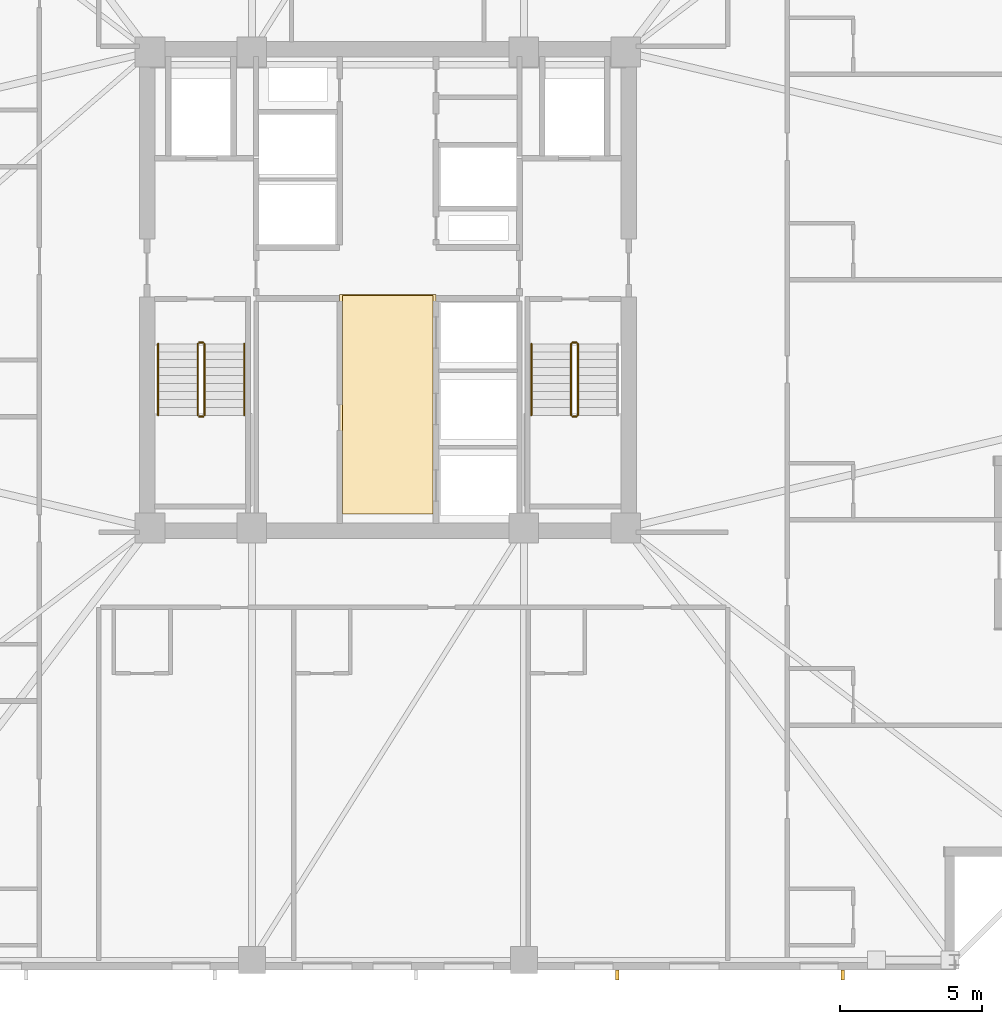
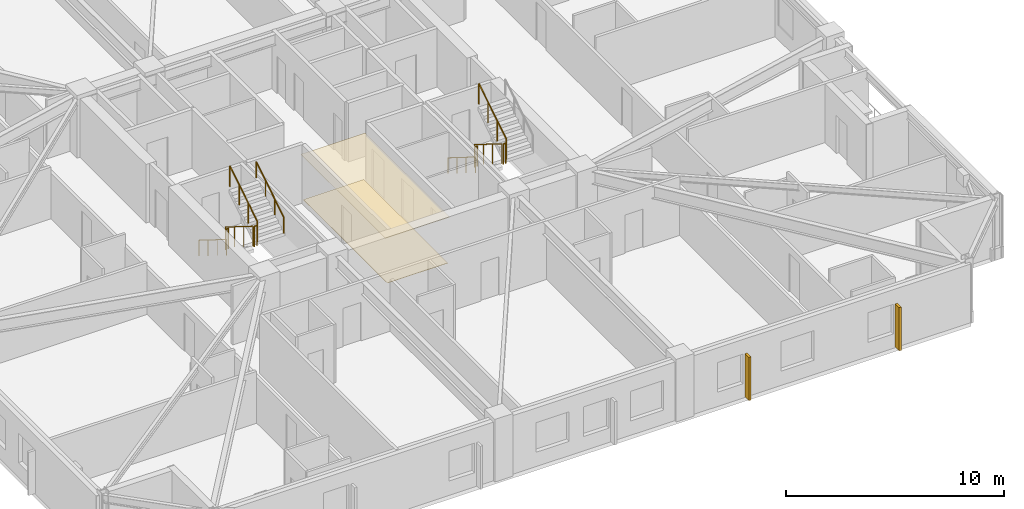
# One storey, part 8 of 11: 11 railings, 2 coverings, 2 shading devices.
"""IFC4 building model written with IfcOpenShell, lengths in metres."""

from ifc_helpers import new_model, si_unit, direction, frame, origin, origin_2d, place, context, subcontext, project, spatial, polyline, rectangle, circle, outline, extrude, material, layer, layer_set, type_object, element, save


model = new_model("IFC4")

# Units and contexts
model_context = context("Model", 3, precision=1e-05, world=origin(), true_north=direction((0.0, 1.0)))
body_context = subcontext(model_context, "Body", "Model", "MODEL_VIEW")
ifc_project = project(units=[si_unit("LENGTHUNIT", "METRE"), si_unit("AREAUNIT", "SQUARE_METRE"), si_unit("VOLUMEUNIT", "CUBIC_METRE"), si_unit("PLANEANGLEUNIT", "RADIAN"), si_unit("MASSUNIT", "GRAM", prefix="KILO")], contexts=[model_context])

# Site, building, storey
site_placement = place(None, origin())
site = spatial("IfcSite", under=ifc_project, at=site_placement, CompositionType="ELEMENT")
building_placement = place(site_placement, origin())
building = spatial("IfcBuilding", under=site, at=building_placement, Name="Cairnveth Concourse Tower", CompositionType="ELEMENT")
storey_placement = place(building_placement, frame((0.0, 0.0, 176.0)))
storey = spatial("IfcBuildingStorey", under=building, at=storey_placement, Name="L48", CompositionType="ELEMENT", Elevation=176.0)

# Covering
ifc_material_1 = material(Name="Acoustic Mineral Fibre Ceiling", Category="gypsum")
ifc_layer_1 = layer(ifc_material_1, 0.02490234375)
ifc_layer_set_1 = layer_set([ifc_layer_1], Name="Acoustic Mineral Fibre Ceiling")
covering_type_1 = type_object("IfcCoveringType", Name="ACOUSTIC MINERAL FIBRE CEILING 25", PredefinedType="CEILING", material=ifc_layer_set_1)
covering_1_placement = place(storey_placement, frame((0.0, 0.0, 2.5400390625)))
element("IfcCovering", 1, at=covering_1_placement, inside=storey, type_object=covering_type_1, Name="Lift Lobby Acoustic Ceiling L48", PredefinedType="CEILING", context=body_context, shape_type="SweptSolid", body=[
    extrude(outline(polyline([(50.300048828125, 31.10009765625), (53.699951171875, 31.10009765625), (53.699951171875, 38.85009765625), (50.300048828125, 38.85009765625), (50.300048828125, 31.10009765625)])), origin(), (0.0, 0.0, 1.0), 0.02490234375),
])

# Shading devices
ifc_material_2 = material(Name="Architectural Bronze Anodised Aluminium 6063-T6", Category="aluminium")
shading_device_type = type_object("IfcShadingDeviceType", Name="GOTHIC BRONZE VERTICAL LANCET FIN", PredefinedType="USERDEFINED", material=ifc_material_2)
for number, where, z_axis, x_axis, name in (
    (2, (68.05810546875, 14.824951171875, 0.030029296875), (0.0, 0.0, 1.0), (1.0, 0.0, 0.0), "Gothic Bronze Vertical Fin L48-3-1"),
    (3, (60.10107421875, 14.824951171875, 0.030029296875), (0.0, 0.0, 1.0), (1.0, 0.0, 0.0), "Gothic Bronze Vertical Fin L48-3-3"),
):
    element("IfcShadingDevice", number, at=place(storey_placement, frame(where, z_axis=z_axis, x_axis=x_axis)), inside=storey, type_object=shading_device_type, Name=name, ObjectType="VERTICAL FIN", PredefinedType="USERDEFINED", context=body_context, shape_type="SweptSolid", body=[
        extrude(rectangle(XDim=0.1201171875, YDim=0.360107421875, at=origin_2d()), origin(), (0.0, 0.0, 1.0), 2.419921875),
    ])

# Railings
ifc_material_3 = material(Name="Steel Grade 350", Category="steel")
railing_type_1 = type_object("IfcRailingType", Name="STAIR GUARDRAIL 1150", PredefinedType="GUARDRAIL", material=ifc_material_3)
railing_1_placement = place(storey_placement, frame((45.2900390625, 37.10009765625, 0.175048828125)))
element("IfcRailing", 4, at=railing_1_placement, inside=storey, type_object=railing_type_1, Name="L48 ST-1 stair guard 1", PredefinedType="GUARDRAIL", context=body_context, shape_type="SweptSolid", body=[
    extrude(circle(Radius=0.02392578125, at=origin_2d()), frame((0.0, 0.0, 1.1259765625), z_axis=(0.0, -0.848007534815, 0.529984170421), x_axis=(1.0, 0.0, 0.0)), (0.0, 0.0, 1.0), 2.9716796875),
    extrude(circle(Radius=0.02099609375, at=origin_2d()), origin(), (0.0, 0.0, 1.0), 1.101806640625),
    extrude(circle(Radius=0.02099609375, at=origin_2d()), frame((0.0, -0.840087890625, 0.52490234375)), (0.0, 0.0, 1.0), 1.101806640625),
    extrude(circle(Radius=0.02099609375, at=origin_2d()), frame((0.0, -1.679931640625, 1.050048828125)), (0.0, 0.0, 1.0), 1.101806640625),
    extrude(circle(Radius=0.02099609375, at=origin_2d()), frame((0.0, -2.52001953125, 1.574951171875)), (0.0, 0.0, 1.0), 1.101806640625),
])
railing_2_placement = place(storey_placement, frame((45.340087890625, 34.530029296875, 1.75)))
element("IfcRailing", 5, at=railing_2_placement, inside=storey, type_object=railing_type_1, Name="L48 ST-1 stair guard 2", PredefinedType="GUARDRAIL", context=body_context, shape_type="SweptSolid", body=[
    extrude(circle(Radius=0.02392578125, at=origin_2d()), frame((0.0, 0.0, 1.1259765625), z_axis=(1.0, 0.0, 0.0), x_axis=(0.0, 1.0, 0.0)), (0.0, 0.0, 1.0), 0.139892578125),
    extrude(circle(Radius=0.02099609375, at=origin_2d()), origin(), (0.0, 0.0, 1.0), 1.101806640625),
    extrude(circle(Radius=0.02099609375, at=origin_2d()), frame((0.139892578125, 0.0, 0.0)), (0.0, 0.0, 1.0), 1.101806640625),
])
railing_3_placement = place(storey_placement, frame((45.530029296875, 34.580078125, 1.925048828125)))
element("IfcRailing", 6, at=railing_3_placement, inside=storey, type_object=railing_type_1, Name="L48 ST-1 stair guard 3", PredefinedType="GUARDRAIL", context=body_context, shape_type="SweptSolid", body=[
    extrude(circle(Radius=0.02392578125, at=origin_2d()), frame((0.0, 0.0, 1.1259765625), z_axis=(0.0, 0.848007534815, 0.529984170421), x_axis=(-1.0, 0.0, 0.0)), (0.0, 0.0, 1.0), 2.9716796875),
    extrude(circle(Radius=0.02099609375, at=origin_2d()), origin(), (0.0, 0.0, 1.0), 1.101806640625),
    extrude(circle(Radius=0.02099609375, at=origin_2d()), frame((0.0, 0.840087890625, 0.52490234375)), (0.0, 0.0, 1.0), 1.101806640625),
    extrude(circle(Radius=0.02099609375, at=origin_2d()), frame((0.0, 1.679931640625, 1.050048828125)), (0.0, 0.0, 1.0), 1.101806640625),
    extrude(circle(Radius=0.02099609375, at=origin_2d()), frame((0.0, 2.52001953125, 1.574951171875)), (0.0, 0.0, 1.0), 1.101806640625),
])
railing_4_placement = place(storey_placement, frame((45.340087890625, 37.14990234375, 0.0)))
element("IfcRailing", 7, at=railing_4_placement, inside=storey, type_object=railing_type_1, Name="L48 ST-1 stair guard 4", PredefinedType="GUARDRAIL", context=body_context, shape_type="SweptSolid", body=[
    extrude(circle(Radius=0.02392578125, at=origin_2d()), frame((0.0, 0.0, 1.1259765625), z_axis=(1.0, 0.0, 0.0), x_axis=(0.0, 1.0, 0.0)), (0.0, 0.0, 1.0), 0.139892578125),
    extrude(circle(Radius=0.02099609375, at=origin_2d()), origin(), (0.0, 0.0, 1.0), 1.101806640625),
    extrude(circle(Radius=0.02099609375, at=origin_2d()), frame((0.139892578125, 0.0, 0.0)), (0.0, 0.0, 1.0), 1.101806640625),
])
railing_5_placement = place(storey_placement, frame((58.469970703125, 37.10009765625, 0.175048828125)))
element("IfcRailing", 8, at=railing_5_placement, inside=storey, type_object=railing_type_1, Name="L48 ST-2 stair guard 1", PredefinedType="GUARDRAIL", context=body_context, shape_type="SweptSolid", body=[
    extrude(circle(Radius=0.02392578125, at=origin_2d()), frame((0.0, 0.0, 1.1259765625), z_axis=(0.0, -0.848007534815, 0.529984170421), x_axis=(1.0, 0.0, 0.0)), (0.0, 0.0, 1.0), 2.9716796875),
    extrude(circle(Radius=0.02099609375, at=origin_2d()), origin(), (0.0, 0.0, 1.0), 1.101806640625),
    extrude(circle(Radius=0.02099609375, at=origin_2d()), frame((0.0, -0.840087890625, 0.52490234375)), (0.0, 0.0, 1.0), 1.101806640625),
    extrude(circle(Radius=0.02099609375, at=origin_2d()), frame((0.0, -1.679931640625, 1.050048828125)), (0.0, 0.0, 1.0), 1.101806640625),
    extrude(circle(Radius=0.02099609375, at=origin_2d()), frame((0.0, -2.52001953125, 1.574951171875)), (0.0, 0.0, 1.0), 1.101806640625),
])
railing_6_placement = place(storey_placement, frame((58.52001953125, 34.530029296875, 1.75)))
element("IfcRailing", 9, at=railing_6_placement, inside=storey, type_object=railing_type_1, Name="L48 ST-2 stair guard 2", PredefinedType="GUARDRAIL", context=body_context, shape_type="SweptSolid", body=[
    extrude(circle(Radius=0.02392578125, at=origin_2d()), frame((0.0, 0.0, 1.1259765625), z_axis=(1.0, 0.0, 0.0), x_axis=(0.0, 1.0, 0.0)), (0.0, 0.0, 1.0), 0.139892578125),
    extrude(circle(Radius=0.02099609375, at=origin_2d()), origin(), (0.0, 0.0, 1.0), 1.101806640625),
    extrude(circle(Radius=0.02099609375, at=origin_2d()), frame((0.139892578125, 0.0, 0.0)), (0.0, 0.0, 1.0), 1.101806640625),
])
railing_7_placement = place(storey_placement, frame((58.7099609375, 34.580078125, 1.925048828125)))
element("IfcRailing", 10, at=railing_7_placement, inside=storey, type_object=railing_type_1, Name="L48 ST-2 stair guard 3", PredefinedType="GUARDRAIL", context=body_context, shape_type="SweptSolid", body=[
    extrude(circle(Radius=0.02392578125, at=origin_2d()), frame((0.0, 0.0, 1.1259765625), z_axis=(0.0, 0.848007534815, 0.529984170421), x_axis=(-1.0, 0.0, 0.0)), (0.0, 0.0, 1.0), 2.9716796875),
    extrude(circle(Radius=0.02099609375, at=origin_2d()), origin(), (0.0, 0.0, 1.0), 1.101806640625),
    extrude(circle(Radius=0.02099609375, at=origin_2d()), frame((0.0, 0.840087890625, 0.52490234375)), (0.0, 0.0, 1.0), 1.101806640625),
    extrude(circle(Radius=0.02099609375, at=origin_2d()), frame((0.0, 1.679931640625, 1.050048828125)), (0.0, 0.0, 1.0), 1.101806640625),
    extrude(circle(Radius=0.02099609375, at=origin_2d()), frame((0.0, 2.52001953125, 1.574951171875)), (0.0, 0.0, 1.0), 1.101806640625),
])
railing_8_placement = place(storey_placement, frame((58.52001953125, 37.14990234375, 0.0)))
element("IfcRailing", 11, at=railing_8_placement, inside=storey, type_object=railing_type_1, Name="L48 ST-2 stair guard 4", PredefinedType="GUARDRAIL", context=body_context, shape_type="SweptSolid", body=[
    extrude(circle(Radius=0.02392578125, at=origin_2d()), frame((0.0, 0.0, 1.1259765625), z_axis=(1.0, 0.0, 0.0), x_axis=(0.0, 1.0, 0.0)), (0.0, 0.0, 1.0), 0.139892578125),
    extrude(circle(Radius=0.02099609375, at=origin_2d()), origin(), (0.0, 0.0, 1.0), 1.101806640625),
    extrude(circle(Radius=0.02099609375, at=origin_2d()), frame((0.139892578125, 0.0, 0.0)), (0.0, 0.0, 1.0), 1.101806640625),
])
railing_type_2 = type_object("IfcRailingType", Name="STAIR WALL HANDRAIL 900", PredefinedType="HANDRAIL", material=ifc_material_3)
railing_9_placement = place(storey_placement, frame((43.889892578125, 37.10009765625, 0.175048828125)))
element("IfcRailing", 12, at=railing_9_placement, inside=storey, type_object=railing_type_2, Name="L48 ST-1 stair handrail 1", PredefinedType="HANDRAIL", context=body_context, shape_type="SweptSolid", body=[
    extrude(circle(Radius=0.02392578125, at=origin_2d()), frame((0.0, 0.0, 0.8759765625), z_axis=(0.0, -0.848007534815, 0.529984170421), x_axis=(1.0, 0.0, 0.0)), (0.0, 0.0, 1.0), 2.9716796875),
    extrude(circle(Radius=0.02099609375, at=origin_2d()), origin(), (0.0, 0.0, 1.0), 0.851806640625),
    extrude(circle(Radius=0.02099609375, at=origin_2d()), frame((0.0, -0.840087890625, 0.52490234375)), (0.0, 0.0, 1.0), 0.851806640625),
    extrude(circle(Radius=0.02099609375, at=origin_2d()), frame((0.0, -1.679931640625, 1.050048828125)), (0.0, 0.0, 1.0), 0.851806640625),
    extrude(circle(Radius=0.02099609375, at=origin_2d()), frame((0.0, -2.52001953125, 1.574951171875)), (0.0, 0.0, 1.0), 0.851806640625),
])
railing_10_placement = place(storey_placement, frame((46.929931640625, 34.580078125, 1.925048828125)))
element("IfcRailing", 13, at=railing_10_placement, inside=storey, type_object=railing_type_2, Name="L48 ST-1 stair handrail 2", PredefinedType="HANDRAIL", context=body_context, shape_type="SweptSolid", body=[
    extrude(circle(Radius=0.02392578125, at=origin_2d()), frame((0.0, 0.0, 0.8759765625), z_axis=(0.0, 0.848007534815, 0.529984170421), x_axis=(-1.0, 0.0, 0.0)), (0.0, 0.0, 1.0), 2.9716796875),
    extrude(circle(Radius=0.02099609375, at=origin_2d()), origin(), (0.0, 0.0, 1.0), 0.851806640625),
    extrude(circle(Radius=0.02099609375, at=origin_2d()), frame((0.0, 0.840087890625, 0.52490234375)), (0.0, 0.0, 1.0), 0.851806640625),
    extrude(circle(Radius=0.02099609375, at=origin_2d()), frame((0.0, 1.679931640625, 1.050048828125)), (0.0, 0.0, 1.0), 0.851806640625),
    extrude(circle(Radius=0.02099609375, at=origin_2d()), frame((0.0, 2.52001953125, 1.574951171875)), (0.0, 0.0, 1.0), 0.851806640625),
])
railing_11_placement = place(storey_placement, frame((57.070068359375, 37.10009765625, 0.175048828125)))
element("IfcRailing", 14, at=railing_11_placement, inside=storey, type_object=railing_type_2, Name="L48 ST-2 stair handrail 1", PredefinedType="HANDRAIL", context=body_context, shape_type="SweptSolid", body=[
    extrude(circle(Radius=0.02392578125, at=origin_2d()), frame((0.0, 0.0, 0.8759765625), z_axis=(0.0, -0.848007534815, 0.529984170421), x_axis=(1.0, 0.0, 0.0)), (0.0, 0.0, 1.0), 2.9716796875),
    extrude(circle(Radius=0.02099609375, at=origin_2d()), origin(), (0.0, 0.0, 1.0), 0.851806640625),
    extrude(circle(Radius=0.02099609375, at=origin_2d()), frame((0.0, -0.840087890625, 0.52490234375)), (0.0, 0.0, 1.0), 0.851806640625),
    extrude(circle(Radius=0.02099609375, at=origin_2d()), frame((0.0, -1.679931640625, 1.050048828125)), (0.0, 0.0, 1.0), 0.851806640625),
    extrude(circle(Radius=0.02099609375, at=origin_2d()), frame((0.0, -2.52001953125, 1.574951171875)), (0.0, 0.0, 1.0), 0.851806640625),
])

# Covering
ifc_material_4 = material(Name="Vitrified Stoneware Tile Flooring", Category="masonry")
ifc_layer_2 = layer(ifc_material_4, 0.02001953125)
ifc_layer_set_2 = layer_set([ifc_layer_2], Name="Vitrified Stoneware Tile Flooring")
covering_type_2 = type_object("IfcCoveringType", Name="VITRIFIED STONEWARE LOBBY FLOORING 20", PredefinedType="FLOORING", material=ifc_layer_set_2)
covering_2_placement = place(storey_placement, origin())
element("IfcCovering", 15, at=covering_2_placement, inside=storey, type_object=covering_type_2, Name="Lift Lobby Stoneware Flooring L48", PredefinedType="FLOORING", context=body_context, shape_type="SweptSolid", body=[
    extrude(outline(polyline([(50.39990234375, 31.10009765625), (53.60009765625, 31.10009765625), (53.60009765625, 38.800048828125), (50.39990234375, 38.800048828125), (50.39990234375, 31.10009765625)])), origin(), (0.0, 0.0, 1.0), 0.02001953125),
])

save(model, "model.ifc")
